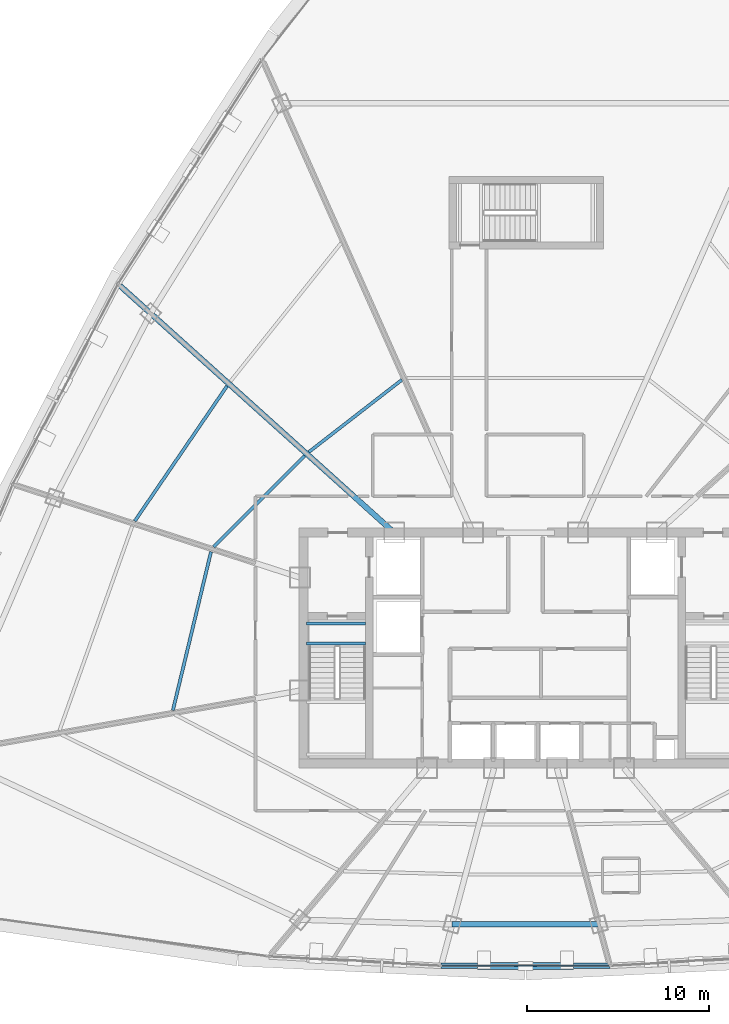
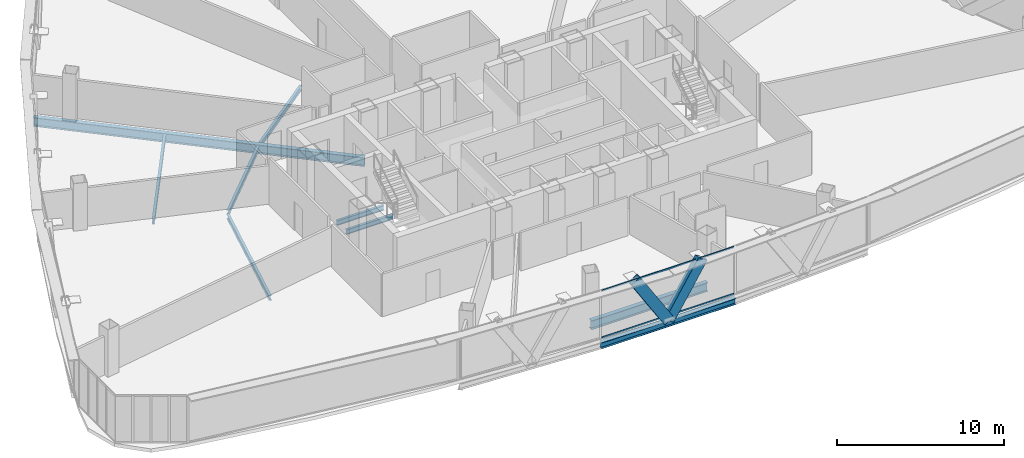
# One storey, part 9 of 36: 9 beams, 4 members, 1 element without a shape of its own.
"""IFC4 building model written with IfcOpenShell, lengths in metres."""

from ifc_helpers import new_model, si_unit, direction, frame, origin, origin_2d, place, context, subcontext, project, spatial, hollow_rectangle, i_section, extrude, source, transform, mapped, material, layer, layer_set, material_profile, profile_set, type_object, element, aggregate, save


model = new_model("IFC4")

# Units and contexts
model_context = context("Model", 3, precision=1e-05, world=origin(), true_north=direction((0.0, 1.0)))
body_context = subcontext(model_context, "Body", "Model", "MODEL_VIEW")
ifc_project = project(units=[si_unit("LENGTHUNIT", "METRE"), si_unit("AREAUNIT", "SQUARE_METRE"), si_unit("VOLUMEUNIT", "CUBIC_METRE"), si_unit("PLANEANGLEUNIT", "RADIAN"), si_unit("MASSUNIT", "GRAM", prefix="KILO"), si_unit("THERMODYNAMICTEMPERATUREUNIT", "KELVIN"), si_unit("POWERUNIT", "WATT")], contexts=[model_context])

# Site, building, storey
site_placement = place(None, origin())
site = spatial("IfcSite", under=ifc_project, at=site_placement, CompositionType="ELEMENT")
building_placement = place(site_placement, origin())
building = spatial("IfcBuilding", under=site, at=building_placement, Name="Yunzhuo Pagoda Commons", CompositionType="ELEMENT")
storey_placement = place(building_placement, frame((0.0, 0.0, 248.260009765625)))
storey = spatial("IfcBuildingStorey", under=building, at=storey_placement, Name="L62", CompositionType="ELEMENT", Elevation=248.260009765625)

# Beams
ifc_material_1 = material(Name="Structural steel Q355B", Category="steel")
ifc_material_profile_1 = material_profile(ifc_material_1, i_section(OverallWidth=0.175048828125, OverallDepth=0.35009765625, WebThickness=0.007080078125, FlangeThickness=0.010986328125, at=origin_2d()), Name="Structural steel Q355B")
ifc_profile_set_1 = profile_set([ifc_material_profile_1], Name="Structural steel Q355B")
beam_type_1 = type_object("IfcBeamType", Name="B-JS2 Joist HN 350x175x7x11", PredefinedType="JOIST", material=ifc_profile_set_1)
shared_shape_1 = source(origin(), body_context, "Body", "SweptSolid", [
    extrude(i_section(OverallWidth=0.175048828125, OverallDepth=0.35009765625, WebThickness=0.007080078125, FlangeThickness=0.010986328125, at=origin_2d()), origin(), (0.0, 0.0, 1.0), 3.25),
])
for number, where, z_axis, x_axis, name in (
    (1, (35.949951171875, 34.10009765625, -0.375), (1.0, 0.0, 0.0), (0.0, 1.0, 0.0), "L62 ST1 landing support beam 166A"),
    (2, (35.949951171875, 35.199951171875, -0.375), (1.0, 0.0, 0.0), (0.0, 1.0, 0.0), "L62 ST1 landing support beam 166B"),
):
    element("IfcBeam", number, at=place(storey_placement, frame(where, z_axis=z_axis, x_axis=x_axis)), inside=storey, type_object=beam_type_1, Name=name, PredefinedType="JOIST", context=body_context, shape_type="MappedRepresentation", body=[
        mapped(shared_shape_1, transform((0.0, 0.0, 0.0), scale=1.0)),
    ])
ifc_material_profile_2 = material_profile(ifc_material_1, i_section(OverallWidth=0.300048828125, OverallDepth=0.64990234375, WebThickness=0.012939453125, FlangeThickness=0.02197265625, at=origin_2d()), Name="Structural steel Q355B")
ifc_profile_set_2 = profile_set([ifc_material_profile_2], Name="Structural steel Q355B")
beam_type_2 = type_object("IfcBeamType", Name="B-RG2 Beam HN 650x300x13x22", PredefinedType="BEAM", material=ifc_profile_set_2)
shared_shape_2 = source(origin(), body_context, "Body", "SweptSolid", [
    extrude(i_section(OverallWidth=0.300048828125, OverallDepth=0.64990234375, WebThickness=0.012939453125, FlangeThickness=0.02197265625, at=origin_2d()), origin(), (0.0, 0.0, 1.0), 8.06298828125),
])
beam_1_placement = place(storey_placement, frame((43.968505859375, 18.654052734375, -0.5849609375), z_axis=(1.0, 0.0, 0.0), x_axis=(0.0, 1.0, 0.0)))
element("IfcBeam", 3, at=beam_1_placement, inside=storey, type_object=beam_type_2, Name="L62 column-ring beam 2", PredefinedType="BEAM", context=body_context, shape_type="MappedRepresentation", body=[
    mapped(shared_shape_2, transform((0.0, 0.0, 0.0), scale=1.0)),
])
shared_shape_3 = source(origin(), body_context, "Body", "SweptSolid", [
    extrude(i_section(OverallWidth=0.175048828125, OverallDepth=0.35009765625, WebThickness=0.007080078125, FlangeThickness=0.010986328125, at=origin_2d()), origin(), (0.0, 0.0, 1.0), 8.973876953125),
])
beam_2_placement = place(storey_placement, frame((30.703369140625, 39.1533203125, -0.43505859375), z_axis=(-0.233807152827, -0.972282991359, 0.0), x_axis=(0.972282991359, -0.233807152827, 0.0)))
element("IfcBeam", 4, at=beam_2_placement, inside=storey, type_object=beam_type_1, Name="L62 composite ring joist 1.11", PredefinedType="JOIST", context=body_context, shape_type="MappedRepresentation", body=[
    mapped(shared_shape_3, transform((0.0, 0.0, 0.0), scale=1.0)),
])
shared_shape_4 = source(origin(), body_context, "Body", "SweptSolid", [
    extrude(i_section(OverallWidth=0.175048828125, OverallDepth=0.35009765625, WebThickness=0.007080078125, FlangeThickness=0.010986328125, at=origin_2d()), origin(), (0.0, 0.0, 1.0), 7.0732421875),
])
beam_3_placement = place(storey_placement, frame((35.847412109375, 44.4287109375, -0.43505859375), z_axis=(-0.706139657206, -0.708072584218, 0.0), x_axis=(0.708072584218, -0.706139657206, 0.0)))
element("IfcBeam", 5, at=beam_3_placement, inside=storey, type_object=beam_type_1, Name="L62 composite ring joist 1.10", PredefinedType="JOIST", context=body_context, shape_type="MappedRepresentation", body=[
    mapped(shared_shape_4, transform((0.0, 0.0, 0.0), scale=1.0)),
])
shared_shape_5 = source(origin(), body_context, "Body", "SweptSolid", [
    extrude(i_section(OverallWidth=0.175048828125, OverallDepth=0.35009765625, WebThickness=0.007080078125, FlangeThickness=0.010986328125, at=origin_2d()), origin(), (0.0, 0.0, 1.0), 8.99365234375),
])
beam_4_placement = place(storey_placement, frame((31.583984375, 48.268798828125, -0.43505859375), z_axis=(-0.564098900337, -0.825707230584, 0.0), x_axis=(0.825707230584, -0.564098900337, 0.0)))
element("IfcBeam", 6, at=beam_4_placement, inside=storey, type_object=beam_type_1, Name="L62 composite ring joist 2.10", PredefinedType="JOIST", context=body_context, shape_type="MappedRepresentation", body=[
    mapped(shared_shape_5, transform((0.0, 0.0, 0.0), scale=1.0)),
])
shared_shape_6 = source(origin(), body_context, "Body", "SweptSolid", [
    extrude(i_section(OverallWidth=0.175048828125, OverallDepth=0.35009765625, WebThickness=0.007080078125, FlangeThickness=0.010986328125, at=origin_2d()), origin(), (0.0, 0.0, 1.0), 6.4677734375),
])
beam_5_placement = place(storey_placement, frame((41.19580078125, 48.602783203125, -0.43505859375), z_axis=(-0.790160481991, -0.612900002202, 0.0), x_axis=(0.612900002202, -0.790160481991, 0.0)))
element("IfcBeam", 7, at=beam_5_placement, inside=storey, type_object=beam_type_1, Name="L62 composite ring joist 1.9", PredefinedType="JOIST", context=body_context, shape_type="MappedRepresentation", body=[
    mapped(shared_shape_6, transform((0.0, 0.0, 0.0), scale=1.0)),
])
shared_shape_7 = source(origin(), body_context, "Body", "SweptSolid", [
    extrude(i_section(OverallWidth=0.300048828125, OverallDepth=0.64990234375, WebThickness=0.012939453125, FlangeThickness=0.02197265625, at=origin_2d()), origin(), (0.0, 0.0, 1.0), 20.288818359375),
])
beam_6_placement = place(storey_placement, frame((25.70361328125, 53.77587890625, -0.5849609375), z_axis=(0.743140353035, -0.669135573477, 0.0), x_axis=(0.669135573477, 0.743140353035, 0.0)))
element("IfcBeam", 8, at=beam_6_placement, inside=storey, type_object=beam_type_2, Name="L62 radial floor girder F3C2", PredefinedType="BEAM", context=body_context, shape_type="MappedRepresentation", body=[
    mapped(shared_shape_7, transform((0.0, 0.0, 0.0), scale=1.0)),
])
ifc_material_profile_3 = material_profile(ifc_material_1, i_section(OverallWidth=0.300048828125, OverallDepth=0.43994140625, WebThickness=0.010986328125, FlangeThickness=0.01806640625, at=origin_2d()), Name="Structural steel Q355B")
ifc_profile_set_3 = profile_set([ifc_material_profile_3], Name="Structural steel Q355B")
beam_type_3 = type_object("IfcBeamType", Name="B-SP2 Beam HM 440x300x11x18", PredefinedType="BEAM", material=ifc_profile_set_3)
shared_shape_8 = source(origin(), body_context, "Body", "SweptSolid", [
    extrude(i_section(OverallWidth=0.300048828125, OverallDepth=0.43994140625, WebThickness=0.010986328125, FlangeThickness=0.01806640625, at=origin_2d()), origin(), (0.0, 0.0, 1.0), 9.28759765625),
])
beam_7_placement = place(storey_placement, frame((43.356201171875, 16.36865234375, -0.47998046875), z_axis=(1.0, 0.0, 0.0), x_axis=(0.0, 1.0, 0.0)))
element("IfcBeam", 9, at=beam_7_placement, inside=storey, type_object=beam_type_3, Name="L62 facade edge spandrel beam F1.2", PredefinedType="BEAM", context=body_context, shape_type="MappedRepresentation", body=[
    mapped(shared_shape_8, transform((0.0, 0.0, 0.0), scale=1.0)),
])

# Members
ifc_material_profile_4 = material_profile(ifc_material_1, hollow_rectangle(XDim=0.39990234375, YDim=0.719970703125, WallThickness=0.02392578125, at=origin_2d()), Name="Structural steel Q355B")
ifc_profile_set_4 = profile_set([ifc_material_profile_4], Name="Structural steel Q355B")
member_type_1 = type_object("IfcMemberType", Name="M-DL2 Brace BOX 720x400x24", PredefinedType="BRACE", material=ifc_profile_set_4)
shared_shape_9 = source(origin(), body_context, "Body", "SweptSolid", [
    extrude(hollow_rectangle(XDim=0.39990234375, YDim=0.719970703125, WallThickness=0.02392578125, at=origin_2d()), origin(), (0.0, 0.0, 1.0), 4.393798828125),
])
member_1_placement = place(storey_placement, frame((48.0, 16.36865234375, -0.260009765625), z_axis=(-0.528424722017, 0.0, 0.848980160641), x_axis=(0.0, -1.0, 0.0)))
element("IfcMember", 10, at=member_1_placement, inside=storey, type_object=member_type_1, Name="L62 facade diamond brace F1.2L", PredefinedType="BRACE", context=body_context, shape_type="MappedRepresentation", body=[
    mapped(shared_shape_9, transform((0.0, 0.0, 0.0), scale=1.0)),
])
shared_shape_10 = source(origin(), body_context, "Body", "SweptSolid", [
    extrude(hollow_rectangle(XDim=0.39990234375, YDim=0.719970703125, WallThickness=0.02392578125, at=origin_2d()), origin(), (0.0, 0.0, 1.0), 4.39404296875),
])
member_2_placement = place(storey_placement, frame((48.0, 16.36865234375, -0.260009765625), z_axis=(0.528504814071, 0.0, 0.848930304267), x_axis=(0.0, 1.0, 0.0)))
element("IfcMember", 11, at=member_2_placement, inside=storey, type_object=member_type_1, Name="L62 facade diamond brace F1.2R", PredefinedType="BRACE", context=body_context, shape_type="MappedRepresentation", body=[
    mapped(shared_shape_10, transform((0.0, 0.0, 0.0), scale=1.0)),
])

# Curtain wall, members
ifc_material_2 = material(Name="Anodized aluminium 6063-T6", Category="aluminium")
ifc_layer = layer(ifc_material_2, 0.139892578125)
ifc_layer_set = layer_set([ifc_layer], Name="Anodized aluminium 6063-T6")
curtain_wall_type = type_object("IfcCurtainWallType", Name="CW-HI High-Zone Ribbon Curtain Wall", PredefinedType="NOTDEFINED", material=ifc_layer_set)
curtain_wall_placement = place(storey_placement, origin())
curtain_wall = element("IfcCurtainWall", 12, at=curtain_wall_placement, inside=storey, type_object=curtain_wall_type, Name="L62 curtain wall CW-L62-F1B3", PredefinedType="NOTDEFINED")
ifc_material_profile_5 = material_profile(ifc_material_2, hollow_rectangle(XDim=0.054931640625, YDim=0.1201171875, WallThickness=0.00341796875, at=origin_2d()), Name="Anodized aluminium 6063-T6")
ifc_profile_set_5 = profile_set([ifc_material_profile_5], Name="Anodized aluminium 6063-T6")
member_type_2 = type_object("IfcMemberType", Name="CW-HI-T Transom RHS 120x55x3.5", PredefinedType="USERDEFINED", material=ifc_profile_set_5)
shared_shape_11 = source(origin(), body_context, "Body", "SweptSolid", [
    extrude(hollow_rectangle(XDim=0.054931640625, YDim=0.1201171875, WallThickness=0.00341796875, at=origin_2d()), origin(), (0.0, 0.0, 1.0), 9.16796875),
])
member_3_placement = place(storey_placement, frame((43.416015625, 16.36865234375, 0.027587890625), z_axis=(1.0, 0.0, 0.0), x_axis=(0.0, 1.0, 0.0)))
member_3 = element("IfcMember", 13, at=member_3_placement, type_object=member_type_2, Name="CW transom 1.1", ObjectType="TRANSOM", PredefinedType="USERDEFINED", context=body_context, shape_type="MappedRepresentation", body=[
    mapped(shared_shape_11, transform((0.0, 0.0, 0.0), scale=1.0)),
])
member_4_placement = place(storey_placement, frame((43.416015625, 16.36865234375, 3.4423828125), z_axis=(1.0, 0.0, 0.0), x_axis=(0.0, 1.0, 0.0)))
member_4 = element("IfcMember", 14, at=member_4_placement, type_object=member_type_2, Name="CW transom 1.2", ObjectType="TRANSOM", PredefinedType="USERDEFINED", context=body_context, shape_type="MappedRepresentation", body=[
    mapped(shared_shape_11, transform((0.0, 0.0, 0.0), scale=1.0)),
])
aggregate(curtain_wall, [member_3, member_4])

save(model, "model.ifc")
